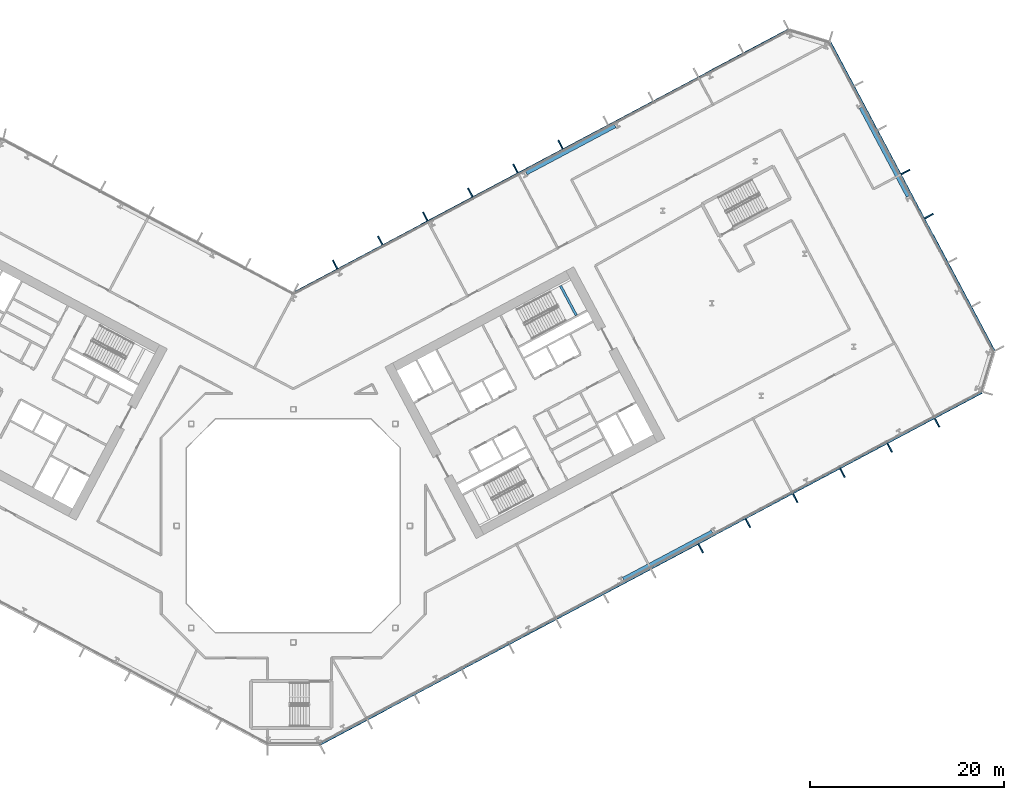
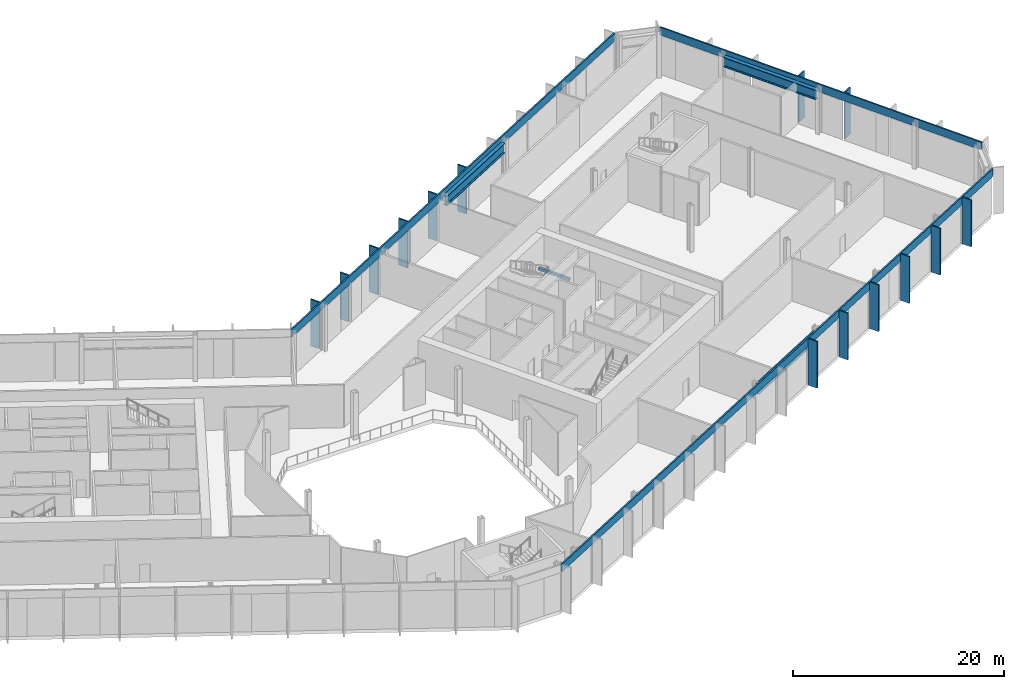
# One storey, part 7 of 31: 17 members, 4 beams, 3 elements without a shape of their own.
"""IFC4 building model written with IfcOpenShell, lengths in metres."""

from ifc_helpers import new_model, si_unit, direction, frame, origin, origin_2d, place, context, subcontext, project, spatial, rectangle, i_section, extrude, material, layer, layer_set, material_profile, profile_set, type_object, element, aggregate, save


model = new_model("IFC4")

# Units and contexts
model_context = context("Model", 3, precision=1e-05, world=origin(), true_north=direction((0.0, 1.0)))
body_context = subcontext(model_context, "Body", "Model", "MODEL_VIEW")
ifc_project = project(units=[si_unit("LENGTHUNIT", "METRE"), si_unit("AREAUNIT", "SQUARE_METRE"), si_unit("VOLUMEUNIT", "CUBIC_METRE"), si_unit("PLANEANGLEUNIT", "RADIAN"), si_unit("MASSUNIT", "GRAM", prefix="KILO")], contexts=[model_context])

# Site, building, storey
site_placement = place(None, origin())
site = spatial("IfcSite", under=ifc_project, at=site_placement, CompositionType="ELEMENT")
building_placement = place(site_placement, origin())
building = spatial("IfcBuilding", under=site, at=building_placement, Name="Cormorant Relay Tower", CompositionType="ELEMENT")
storey_placement = place(building_placement, frame((0.0, 0.0, 50.0)))
storey = spatial("IfcBuildingStorey", under=building, at=storey_placement, Name="L09", CompositionType="ELEMENT", Elevation=50.0)

# Curtain wall, members
ifc_material_1 = material(Name="Aluminium 6063-T6 anodised bronze", Category="aluminium")
ifc_layer = layer(ifc_material_1, 0.235107421875)
ifc_layer_set = layer_set([ifc_layer], Name="CW6 data hall curtain wall with mineral wool panels")
curtain_wall_type = type_object("IfcCurtainWallType", Name="CW6 data hall curtain wall with mineral wool panels", PredefinedType="NOTDEFINED", material=ifc_layer_set)
curtain_wall_1_placement = place(storey_placement, origin())
curtain_wall_1 = element("IfcCurtainWall", 1, at=curtain_wall_1_placement, inside=storey, type_object=curtain_wall_type, Name="CW6 curtain wall 2", PredefinedType="NOTDEFINED")
ifc_material_2 = material(Name="Aluminium 6063-T6 anodised bronze", Category="aluminium")
ifc_material_profile_1 = material_profile(ifc_material_2, rectangle(XDim=0.14990234375, YDim=1.0, at=origin_2d()), Name="AL 150x1000")
ifc_profile_set_1 = profile_set([ifc_material_profile_1], Name="Aluminium 6063-T6 anodised bronze")
member_type_1 = type_object("IfcMemberType", Name="CW6 bronze fin mullion 150 x 1000", PredefinedType="MULLION", material=ifc_profile_set_1)
member_1_placement = place(storey_placement, frame((41.92724609375, -2.3232421875, 0.0), z_axis=(0.0, 0.0, 1.0), x_axis=(0.882947592859, 0.469471562786, 0.0)))
member_1 = element("IfcMember", 2, at=member_1_placement, type_object=member_type_1, Name="CW6 fin 2.9", PredefinedType="MULLION", context=body_context, shape_type="SweptSolid", body=[
    extrude(rectangle(XDim=0.14990234375, YDim=1.0, at=origin_2d()), origin(), (0.0, 0.0, 1.0), 5.39990234375),
])
member_2_placement = place(storey_placement, frame((46.7939453125, 0.264404296875, 0.0), z_axis=(0.0, 0.0, 1.0), x_axis=(0.882947592859, 0.469471562786, 0.0)))
member_2 = element("IfcMember", 3, at=member_2_placement, type_object=member_type_1, Name="CW6 fin 2.10", PredefinedType="MULLION", context=body_context, shape_type="SweptSolid", body=[
    extrude(rectangle(XDim=0.14990234375, YDim=1.0, at=origin_2d()), origin(), (0.0, 0.0, 1.0), 5.39990234375),
])
member_3_placement = place(storey_placement, frame((51.66064453125, 2.85205078125, 0.0), z_axis=(0.0, 0.0, 1.0), x_axis=(0.882947592859, 0.469471562786, 0.0)))
member_3 = element("IfcMember", 4, at=member_3_placement, type_object=member_type_1, Name="CW6 fin 2.11", PredefinedType="MULLION", context=body_context, shape_type="SweptSolid", body=[
    extrude(rectangle(XDim=0.14990234375, YDim=1.0, at=origin_2d()), origin(), (0.0, 0.0, 1.0), 5.39990234375),
])
member_4_placement = place(storey_placement, frame((56.52734375, 5.439697265625, 0.0), z_axis=(0.0, 0.0, 1.0), x_axis=(0.882947592859, 0.469471562786, 0.0)))
member_4 = element("IfcMember", 5, at=member_4_placement, type_object=member_type_1, Name="CW6 fin 2.12", PredefinedType="MULLION", context=body_context, shape_type="SweptSolid", body=[
    extrude(rectangle(XDim=0.14990234375, YDim=1.0, at=origin_2d()), origin(), (0.0, 0.0, 1.0), 5.39990234375),
])
member_5_placement = place(storey_placement, frame((61.39404296875, 8.02734375, 0.0), z_axis=(0.0, 0.0, 1.0), x_axis=(0.882947592859, 0.469471562786, 0.0)))
member_5 = element("IfcMember", 6, at=member_5_placement, type_object=member_type_1, Name="CW6 fin 2.13", PredefinedType="MULLION", context=body_context, shape_type="SweptSolid", body=[
    extrude(rectangle(XDim=0.14990234375, YDim=1.0, at=origin_2d()), origin(), (0.0, 0.0, 1.0), 5.39990234375),
])
member_6_placement = place(storey_placement, frame((66.2607421875, 10.614990234375, 0.0), z_axis=(0.0, 0.0, 1.0), x_axis=(0.882947592859, 0.469471562786, 0.0)))
member_6 = element("IfcMember", 7, at=member_6_placement, type_object=member_type_1, Name="CW6 fin 2.14", PredefinedType="MULLION", context=body_context, shape_type="SweptSolid", body=[
    extrude(rectangle(XDim=0.14990234375, YDim=1.0, at=origin_2d()), origin(), (0.0, 0.0, 1.0), 5.39990234375),
])

curtain_wall_2_placement = place(storey_placement, origin())
curtain_wall_2 = element("IfcCurtainWall", 8, at=curtain_wall_2_placement, inside=storey, type_object=curtain_wall_type, Name="CW6 curtain wall 4", PredefinedType="NOTDEFINED")
member_7_placement = place(storey_placement, frame((65.428466796875, 31.876708984375, 0.0), z_axis=(0.0, 0.0, 1.0), x_axis=(-0.469471562786, 0.882947592859, 0.0)))
member_7 = element("IfcMember", 9, at=member_7_placement, type_object=member_type_1, Name="CW6 fin 4.4", PredefinedType="MULLION", context=body_context, shape_type="SweptSolid", body=[
    extrude(rectangle(XDim=0.14990234375, YDim=1.0, at=origin_2d()), origin(), (0.0, 0.0, 1.0), 5.39990234375),
])
member_8_placement = place(storey_placement, frame((63.013916015625, 36.41748046875, 0.0), z_axis=(0.0, 0.0, 1.0), x_axis=(-0.469471562786, 0.882947592859, 0.0)))
member_8 = element("IfcMember", 10, at=member_8_placement, type_object=member_type_1, Name="CW6 fin 4.5", PredefinedType="MULLION", context=body_context, shape_type="SweptSolid", body=[
    extrude(rectangle(XDim=0.14990234375, YDim=1.0, at=origin_2d()), origin(), (0.0, 0.0, 1.0), 5.39990234375),
])

curtain_wall_3_placement = place(storey_placement, origin())
curtain_wall_3 = element("IfcCurtainWall", 11, at=curtain_wall_3_placement, inside=storey, type_object=curtain_wall_type, Name="CW6 curtain wall 6", PredefinedType="NOTDEFINED")
member_9_placement = place(storey_placement, frame((27.50830078125, 39.242919921875, 0.0), z_axis=(0.0, 0.0, 1.0), x_axis=(-0.882947592859, -0.469471562786, 0.0)))
member_9 = element("IfcMember", 12, at=member_9_placement, type_object=member_type_1, Name="CW6 fin 6.6", PredefinedType="MULLION", context=body_context, shape_type="SweptSolid", body=[
    extrude(rectangle(XDim=0.14990234375, YDim=1.0, at=origin_2d()), origin(), (0.0, 0.0, 1.0), 5.39990234375),
])
member_10_placement = place(storey_placement, frame((22.8662109375, 36.7744140625, 0.0), z_axis=(0.0, 0.0, 1.0), x_axis=(-0.882947592859, -0.469471562786, 0.0)))
member_10 = element("IfcMember", 13, at=member_10_placement, type_object=member_type_1, Name="CW6 fin 6.7", PredefinedType="MULLION", context=body_context, shape_type="SweptSolid", body=[
    extrude(rectangle(XDim=0.14990234375, YDim=1.0, at=origin_2d()), origin(), (0.0, 0.0, 1.0), 5.39990234375),
])
member_11_placement = place(storey_placement, frame((18.223876953125, 34.30615234375, 0.0), z_axis=(0.0, 0.0, 1.0), x_axis=(-0.882947592859, -0.469471562786, 0.0)))
member_11 = element("IfcMember", 14, at=member_11_placement, type_object=member_type_1, Name="CW6 fin 6.8", PredefinedType="MULLION", context=body_context, shape_type="SweptSolid", body=[
    extrude(rectangle(XDim=0.14990234375, YDim=1.0, at=origin_2d()), origin(), (0.0, 0.0, 1.0), 5.39990234375),
])
member_12_placement = place(storey_placement, frame((13.58154296875, 31.837890625, 0.0), z_axis=(0.0, 0.0, 1.0), x_axis=(-0.882947592859, -0.469471562786, 0.0)))
member_12 = element("IfcMember", 15, at=member_12_placement, type_object=member_type_1, Name="CW6 fin 6.9", PredefinedType="MULLION", context=body_context, shape_type="SweptSolid", body=[
    extrude(rectangle(XDim=0.14990234375, YDim=1.0, at=origin_2d()), origin(), (0.0, 0.0, 1.0), 5.39990234375),
])
member_13_placement = place(storey_placement, frame((8.939453125, 29.36962890625, 0.0), z_axis=(0.0, 0.0, 1.0), x_axis=(-0.882947592859, -0.469471562786, 0.0)))
member_13 = element("IfcMember", 16, at=member_13_placement, type_object=member_type_1, Name="CW6 fin 6.10", PredefinedType="MULLION", context=body_context, shape_type="SweptSolid", body=[
    extrude(rectangle(XDim=0.14990234375, YDim=1.0, at=origin_2d()), origin(), (0.0, 0.0, 1.0), 5.39990234375),
])
member_14_placement = place(storey_placement, frame((4.297119140625, 26.9013671875, 0.0), z_axis=(0.0, 0.0, 1.0), x_axis=(-0.882947592859, -0.469471562786, 0.0)))
member_14 = element("IfcMember", 17, at=member_14_placement, type_object=member_type_1, Name="CW6 fin 6.11", PredefinedType="MULLION", context=body_context, shape_type="SweptSolid", body=[
    extrude(rectangle(XDim=0.14990234375, YDim=1.0, at=origin_2d()), origin(), (0.0, 0.0, 1.0), 5.39990234375),
])

# Member
ifc_material_3 = material(Name="Aluminium 6063-T6 anodised bronze", Category="aluminium")
ifc_material_profile_2 = material_profile(ifc_material_3, rectangle(XDim=0.159912109375, YDim=0.89990234375, at=origin_2d()), Name="AL 160x900")
ifc_profile_set_2 = profile_set([ifc_material_profile_2], Name="Aluminium 6063-T6 anodised bronze")
member_type_2 = type_object("IfcMemberType", Name="CW6 bronze transom 160 x 900", PredefinedType="USERDEFINED", material=ifc_profile_set_2)
member_15_placement = place(storey_placement, frame((2.7216796875, -22.512451171875, 4.949951171875), z_axis=(0.882946645884, 0.469473343783, 0.0), x_axis=(-0.469473343783, 0.882946645884, 0.0)))
member_15 = element("IfcMember", 18, at=member_15_placement, type_object=member_type_2, Name="CW6 transom 2", ObjectType="TRANSOM", PredefinedType="USERDEFINED", context=body_context, shape_type="SweptSolid", body=[
    extrude(rectangle(XDim=0.159912109375, YDim=0.89990234375, at=origin_2d()), origin(), (0.0, 0.0, 1.0), 77.165771484375),
])

aggregate(curtain_wall_1, [member_1, member_2, member_3, member_4, member_5, member_6, member_15])

member_16_placement = place(storey_placement, frame((72.15966796875, 17.981689453125, 4.949951171875), z_axis=(-0.469474517326, 0.882946021896, 0.0), x_axis=(-0.882946021896, -0.469474517326, 0.0)))
member_16 = element("IfcMember", 19, at=member_16_placement, type_object=member_type_2, Name="CW6 transom 4", ObjectType="TRANSOM", PredefinedType="USERDEFINED", context=body_context, shape_type="SweptSolid", body=[
    extrude(rectangle(XDim=0.159912109375, YDim=0.89990234375, at=origin_2d()), origin(), (0.0, 0.0, 1.0), 36.0),
])

aggregate(curtain_wall_2, [member_7, member_8, member_16])

member_17_placement = place(storey_placement, frame((50.99169921875, 51.072265625, 4.949951171875), z_axis=(-0.882948196078, -0.469470428295, 0.0), x_axis=(0.469470428295, -0.882948196078, 0.0)))
member_17 = element("IfcMember", 20, at=member_17_placement, type_object=member_type_2, Name="CW6 transom 6", ObjectType="TRANSOM", PredefinedType="USERDEFINED", context=body_context, shape_type="SweptSolid", body=[
    extrude(rectangle(XDim=0.159912109375, YDim=0.89990234375, at=origin_2d()), origin(), (0.0, 0.0, 1.0), 57.833984375),
])

aggregate(curtain_wall_3, [member_9, member_10, member_11, member_12, member_13, member_14, member_17])

# Beams
ifc_material_4 = material(Name="Steel ASTM A992 (Fy 345 MPa)", Category="steel")
ifc_material_profile_3 = material_profile(ifc_material_4, i_section(OverallWidth=0.408935546875, OverallDepth=1.137939453125, WebThickness=0.031005859375, FlangeThickness=0.05517578125, FilletRadius=0.02001953125, at=origin_2d()), Name="W1100x607")
ifc_profile_set_3 = profile_set([ifc_material_profile_3], Name="Steel ASTM A992 (Fy 345 MPa)")
beam_type_1 = type_object("IfcBeamType", Name="Spandrel W1100x607", PredefinedType="SPANDREL", material=ifc_profile_set_3)
for number, where, z_axis, x_axis, name in (
    (21, (33.9716796875, -5.4892578125, 4.381103515625), (0.882947604656, 0.469471540599, 0.0), (-0.469471540599, 0.882947604656, 0.0), "Spandrel beam L09-002"),
    (22, (63.289306640625, 33.898681640625, 4.381103515625), (-0.469471540599, 0.882947604656, 0.0), (-0.882947604656, -0.469471540599, 0.0), "Spandrel beam L09-004"),
):
    element("IfcBeam", number, at=place(storey_placement, frame(where, z_axis=z_axis, x_axis=x_axis)), inside=storey, type_object=beam_type_1, Name=name, PredefinedType="SPANDREL", context=body_context, shape_type="SweptSolid", body=[
        extrude(i_section(OverallWidth=0.408935546875, OverallDepth=1.137939453125, WebThickness=0.031005859375, FlangeThickness=0.05517578125, FilletRadius=0.02001953125, at=origin_2d()), origin(), (0.0, 0.0, 1.0), 10.36376953125),
    ])
beam_1_placement = place(storey_placement, frame((33.132080078125, 41.169189453125, 4.381103515625), z_axis=(-0.882942412403, -0.469481305677, 0.0), x_axis=(0.469481305677, -0.882942412403, 0.0)))
element("IfcBeam", 23, at=beam_1_placement, inside=storey, type_object=beam_type_1, Name="Spandrel beam L09-006", PredefinedType="SPANDREL", context=body_context, shape_type="SweptSolid", body=[
    extrude(i_section(OverallWidth=0.408935546875, OverallDepth=1.137939453125, WebThickness=0.031005859375, FlangeThickness=0.05517578125, FilletRadius=0.02001953125, at=origin_2d()), origin(), (0.0, 0.0, 1.0), 10.363525390625),
])
ifc_material_5 = material(Name="Concrete 50 MPa", Category="concrete")
ifc_material_profile_4 = material_profile(ifc_material_5, rectangle(XDim=0.25, YDim=0.300048828125, at=origin_2d()), Name="RC 250x300")
ifc_profile_set_4 = profile_set([ifc_material_profile_4], Name="Concrete 50 MPa")
beam_type_2 = type_object("IfcBeamType", Name="Stair landing ledge beam 250x300", PredefinedType="BEAM", material=ifc_profile_set_4)
beam_2_placement = place(storey_placement, frame((29.1259765625, 21.6591796875, 2.35009765625), z_axis=(-0.469493252696, 0.882936059788, 0.0), x_axis=(-0.882936059788, -0.469493252696, 0.0)))
element("IfcBeam", 24, at=beam_2_placement, inside=storey, type_object=beam_type_2, Name="B2 landing ledge beam", PredefinedType="BEAM", context=body_context, shape_type="SweptSolid", body=[
    extrude(rectangle(XDim=0.25, YDim=0.300048828125, at=origin_2d()), origin(), (0.0, 0.0, 1.0), 3.44970703125),
])

save(model, "model.ifc")
